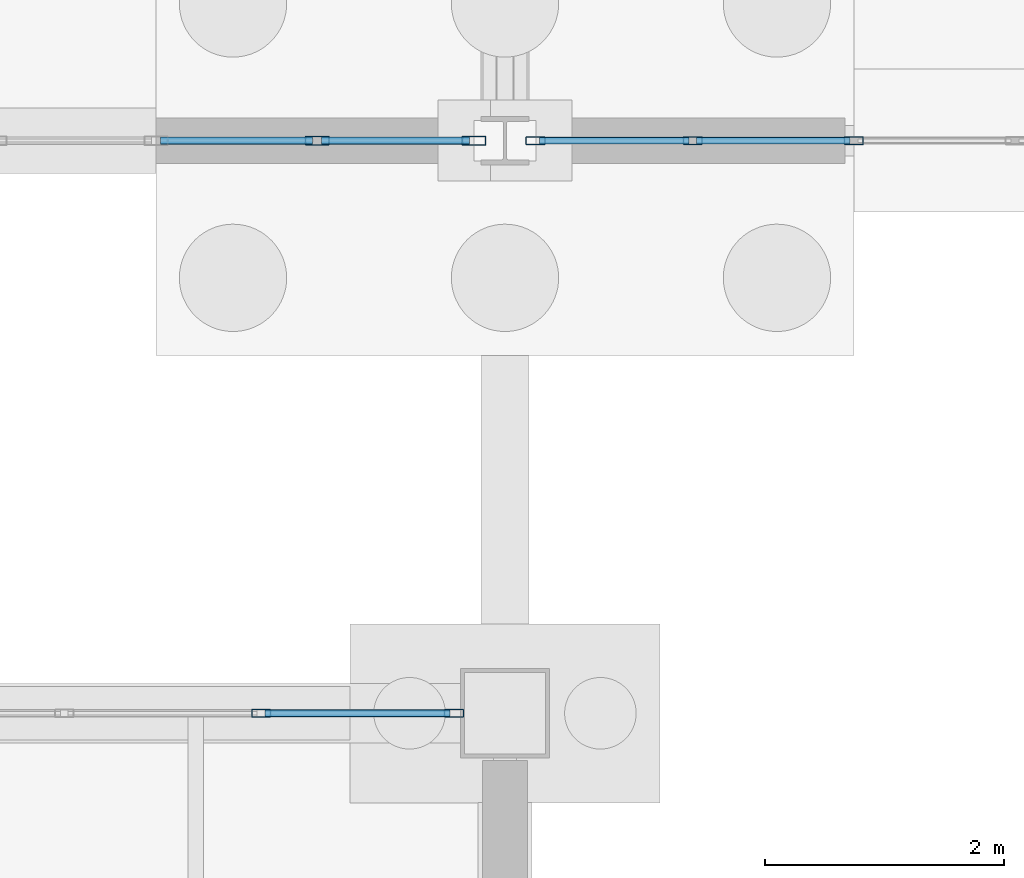
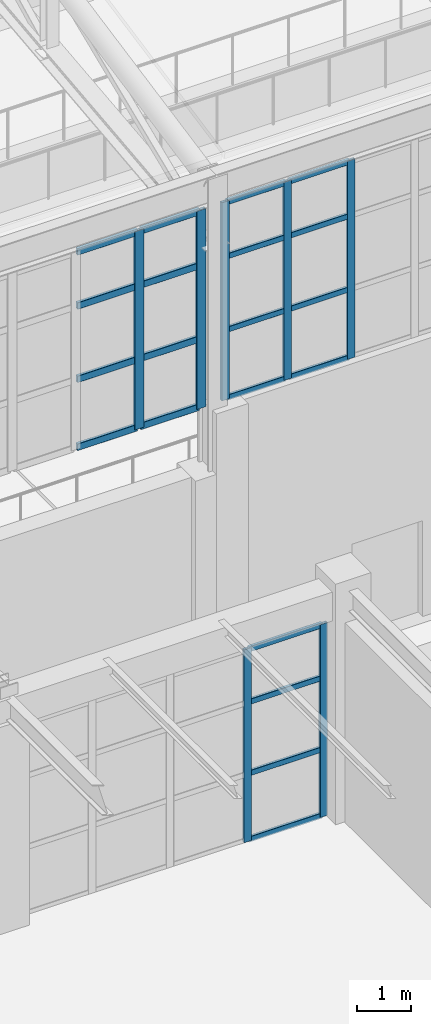
# One storey, part 112 of 293: 27 members, 3 elements without a shape of their own.
"""IFC4 building model written with IfcOpenShell, lengths in metres."""

from ifc_helpers import new_model, si_unit, direction, frame, origin, origin_2d, place, context, subcontext, project, spatial, hollow_rectangle, extrude, material, layer, layer_set, material_profile, profile_set, type_object, element, aggregate, save


model = new_model("IFC4")

# Units and contexts
model_context = context("Model", 3, precision=1e-05, world=origin(), true_north=direction((0.0, 1.0)))
body_context = subcontext(model_context, "Body", "Model", "MODEL_VIEW")
ifc_project = project(units=[si_unit("LENGTHUNIT", "METRE"), si_unit("AREAUNIT", "SQUARE_METRE"), si_unit("VOLUMEUNIT", "CUBIC_METRE"), si_unit("PLANEANGLEUNIT", "RADIAN"), si_unit("MASSUNIT", "GRAM", prefix="KILO")], contexts=[model_context])

# Site, building, storey
site_placement = place(None, origin())
site = spatial("IfcSite", under=ifc_project, at=site_placement, CompositionType="ELEMENT")
building_placement = place(site_placement, origin())
building = spatial("IfcBuilding", under=site, at=building_placement, Name="Kemerveld Promenade Tramway Depot", CompositionType="ELEMENT")
storey_placement = place(building_placement, origin())
storey = spatial("IfcBuildingStorey", under=building, at=storey_placement, Name="L00", CompositionType="ELEMENT", Elevation=0.0)

# Curtain wall, members
ifc_material_1 = material(Name="Bronze anodised aluminium and solar glass", Category="aluminium")
ifc_layer_1 = layer(ifc_material_1, 0.159912109375)
ifc_layer_set_1 = layer_set([ifc_layer_1], Name="CW-SYS-07")
curtain_wall_type_1 = type_object("IfcCurtainWallType", Name="CW-SYS-07", PredefinedType="USERDEFINED", material=ifc_layer_set_1)
curtain_wall_1_placement = place(storey_placement, origin())
curtain_wall_1 = element("IfcCurtainWall", 1, at=curtain_wall_1_placement, inside=storey, type_object=curtain_wall_type_1, Name="CW-V1-S-04", ObjectType="GLAZED_CURTAIN_WALL", PredefinedType="USERDEFINED")
ifc_material_2 = material(Name="Bronze anodised aluminium", Category="aluminium")
ifc_material_profile_1 = material_profile(ifc_material_2, hollow_rectangle(XDim=0.06494140625, YDim=0.159912109375, WallThickness=0.00390625, InnerFilletRadius=0.001953125, OuterFilletRadius=0.00390625, at=origin_2d()), Name="CW-MUL-160x65")
ifc_profile_set_1 = profile_set([ifc_material_profile_1], Name="Bronze anodised aluminium")
member_type_1 = type_object("IfcMemberType", Name="CW-MUL-A", PredefinedType="MULLION", material=ifc_profile_set_1)
member_1_placement = place(storey_placement, frame((60.524658203125, 84.0, 6.199951171875), z_axis=(0.0, 0.0, 1.0), x_axis=(0.0, -1.0, 0.0)))
member_1 = element("IfcMember", 2, at=member_1_placement, type_object=member_type_1, Name="CW07 mullion 4", PredefinedType="MULLION", context=body_context, shape_type="SweptSolid", body=[
    extrude(hollow_rectangle(XDim=0.06494140625, YDim=0.159912109375, WallThickness=0.00390625, InnerFilletRadius=0.001953125, OuterFilletRadius=0.00390625, at=origin_2d()), origin(), (0.0, 0.0, 1.0), 4.449951171875),
])
member_2_placement = place(storey_placement, frame((59.173828125, 84.0, 6.199951171875), z_axis=(0.0, 0.0, 1.0), x_axis=(0.0, -1.0, 0.0)))
member_2 = element("IfcMember", 3, at=member_2_placement, type_object=member_type_1, Name="CW07 mullion 5", PredefinedType="MULLION", context=body_context, shape_type="SweptSolid", body=[
    extrude(hollow_rectangle(XDim=0.06494140625, YDim=0.159912109375, WallThickness=0.00390625, InnerFilletRadius=0.001953125, OuterFilletRadius=0.00390625, at=origin_2d()), origin(), (0.0, 0.0, 1.0), 4.449951171875),
])
member_3_placement = place(storey_placement, frame((57.855712890625, 84.0, 6.199951171875), z_axis=(0.0, 0.0, 1.0), x_axis=(0.0, -1.0, 0.0)))
member_3 = element("IfcMember", 4, at=member_3_placement, type_object=member_type_1, Name="CW07 mullion 6", PredefinedType="MULLION", context=body_context, shape_type="SweptSolid", body=[
    extrude(hollow_rectangle(XDim=0.06494140625, YDim=0.159912109375, WallThickness=0.00390625, InnerFilletRadius=0.001953125, OuterFilletRadius=0.00390625, at=origin_2d()), origin(), (0.0, 0.0, 1.0), 4.449951171875),
])

ifc_layer_2 = layer(ifc_material_1, 0.159912109375)
ifc_layer_set_2 = layer_set([ifc_layer_2], Name="CW-SYS-11")
curtain_wall_type_2 = type_object("IfcCurtainWallType", Name="CW-SYS-11", PredefinedType="USERDEFINED", material=ifc_layer_set_2)
curtain_wall_2_placement = place(storey_placement, origin())
curtain_wall_2 = element("IfcCurtainWall", 5, at=curtain_wall_2_placement, inside=storey, type_object=curtain_wall_type_2, Name="CW-L00-V5N-08", ObjectType="GLAZED_CURTAIN_WALL", PredefinedType="USERDEFINED")
member_4_placement = place(storey_placement, frame((55.555419921875, 79.199951171875, 0.0), z_axis=(0.0, 0.0, 1.0), x_axis=(0.0, 1.0, 0.0)))
member_4 = element("IfcMember", 6, at=member_4_placement, type_object=member_type_1, Name="CW11 mullion 4", PredefinedType="MULLION", context=body_context, shape_type="SweptSolid", body=[
    extrude(hollow_rectangle(XDim=0.06494140625, YDim=0.159912109375, WallThickness=0.00390625, InnerFilletRadius=0.001953125, OuterFilletRadius=0.00390625, at=origin_2d()), origin(), (0.0, 0.0, 1.0), 4.330078125),
])
member_5_placement = place(storey_placement, frame((57.172607421875, 79.199951171875, 0.0), z_axis=(0.0, 0.0, 1.0), x_axis=(0.0, 1.0, 0.0)))
member_5 = element("IfcMember", 7, at=member_5_placement, type_object=member_type_1, Name="CW11 mullion 5", PredefinedType="MULLION", context=body_context, shape_type="SweptSolid", body=[
    extrude(hollow_rectangle(XDim=0.06494140625, YDim=0.159912109375, WallThickness=0.00390625, InnerFilletRadius=0.001953125, OuterFilletRadius=0.00390625, at=origin_2d()), origin(), (0.0, 0.0, 1.0), 4.330078125),
])

ifc_layer_3 = layer(ifc_material_1, 0.199951171875)
ifc_layer_set_3 = layer_set([ifc_layer_3], Name="CW-SYS-06")
curtain_wall_type_3 = type_object("IfcCurtainWallType", Name="CW-SYS-06", PredefinedType="USERDEFINED", material=ifc_layer_set_3)
curtain_wall_3_placement = place(storey_placement, origin())
curtain_wall_3 = element("IfcCurtainWall", 8, at=curtain_wall_3_placement, inside=storey, type_object=curtain_wall_type_3, Name="CW-V1-S-03", ObjectType="GLAZED_CURTAIN_WALL", PredefinedType="USERDEFINED")
ifc_material_profile_2 = material_profile(ifc_material_2, hollow_rectangle(XDim=0.074951171875, YDim=0.199951171875, WallThickness=0.0048828125, InnerFilletRadius=0.001953125, OuterFilletRadius=0.0048828125, at=origin_2d()), Name="CW-MUL-200x75")
ifc_profile_set_2 = profile_set([ifc_material_profile_2], Name="Bronze anodised aluminium")
member_type_2 = type_object("IfcMemberType", Name="CW-MUL-B", PredefinedType="MULLION", material=ifc_profile_set_2)
member_6_placement = place(storey_placement, frame((57.33935546875, 84.0, 6.199951171875), z_axis=(0.0, 0.0, 1.0), x_axis=(0.0, -1.0, 0.0)))
member_6 = element("IfcMember", 9, at=member_6_placement, type_object=member_type_2, Name="CW06 mullion 1", PredefinedType="MULLION", context=body_context, shape_type="SweptSolid", body=[
    extrude(hollow_rectangle(XDim=0.074951171875, YDim=0.199951171875, WallThickness=0.0048828125, InnerFilletRadius=0.001953125, OuterFilletRadius=0.0048828125, at=origin_2d()), origin(), (0.0, 0.0, 1.0), 4.449951171875),
])
member_7_placement = place(storey_placement, frame((56.026123046875, 84.0, 6.199951171875), z_axis=(0.0, 0.0, 1.0), x_axis=(0.0, -1.0, 0.0)))
member_7 = element("IfcMember", 10, at=member_7_placement, type_object=member_type_2, Name="CW06 mullion 2", PredefinedType="MULLION", context=body_context, shape_type="SweptSolid", body=[
    extrude(hollow_rectangle(XDim=0.074951171875, YDim=0.199951171875, WallThickness=0.0048828125, InnerFilletRadius=0.001953125, OuterFilletRadius=0.0048828125, at=origin_2d()), origin(), (0.0, 0.0, 1.0), 4.449951171875),
])

# Member
ifc_material_profile_3 = material_profile(ifc_material_2, hollow_rectangle(XDim=0.06005859375, YDim=0.1201171875, WallThickness=0.00390625, InnerFilletRadius=0.001953125, OuterFilletRadius=0.00390625, at=origin_2d()), Name="CW-TRN-120x60")
ifc_profile_set_3 = profile_set([ifc_material_profile_3], Name="Bronze anodised aluminium")
member_type_3 = type_object("IfcMemberType", Name="CW-TRN-A", PredefinedType="USERDEFINED", material=ifc_profile_set_3)
member_8_placement = place(storey_placement, frame((60.4921875, 84.0, 6.22998046875), z_axis=(-1.0, 0.0, 0.0), x_axis=(0.0, -1.0, 0.0)))
member_8 = element("IfcMember", 11, at=member_8_placement, type_object=member_type_3, Name="CW07 transom 4.1", ObjectType="TRANSOM", PredefinedType="USERDEFINED", context=body_context, shape_type="SweptSolid", body=[
    extrude(hollow_rectangle(XDim=0.06005859375, YDim=0.1201171875, WallThickness=0.00390625, InnerFilletRadius=0.001953125, OuterFilletRadius=0.00390625, at=origin_2d()), origin(), (0.0, 0.0, 1.0), 1.285888671875),
])

member_9_placement = place(storey_placement, frame((60.4921875, 84.0, 7.758056640625), z_axis=(-1.0, 0.0, 0.0), x_axis=(0.0, -1.0, 0.0)))
member_9 = element("IfcMember", 12, at=member_9_placement, type_object=member_type_3, Name="CW07 transom 4.2", ObjectType="TRANSOM", PredefinedType="USERDEFINED", context=body_context, shape_type="SweptSolid", body=[
    extrude(hollow_rectangle(XDim=0.06005859375, YDim=0.1201171875, WallThickness=0.00390625, InnerFilletRadius=0.001953125, OuterFilletRadius=0.00390625, at=origin_2d()), origin(), (0.0, 0.0, 1.0), 1.285888671875),
])

member_10_placement = place(storey_placement, frame((60.4921875, 84.0, 9.404052734375), z_axis=(-1.0, 0.0, 0.0), x_axis=(0.0, -1.0, 0.0)))
member_10 = element("IfcMember", 13, at=member_10_placement, type_object=member_type_3, Name="CW07 transom 4.3", ObjectType="TRANSOM", PredefinedType="USERDEFINED", context=body_context, shape_type="SweptSolid", body=[
    extrude(hollow_rectangle(XDim=0.06005859375, YDim=0.1201171875, WallThickness=0.00390625, InnerFilletRadius=0.001953125, OuterFilletRadius=0.00390625, at=origin_2d()), origin(), (0.0, 0.0, 1.0), 1.285888671875),
])

member_11_placement = place(storey_placement, frame((60.4921875, 84.0, 10.6201171875), z_axis=(-1.0, 0.0, 0.0), x_axis=(0.0, -1.0, 0.0)))
member_11 = element("IfcMember", 14, at=member_11_placement, type_object=member_type_3, Name="CW07 transom 4.4", ObjectType="TRANSOM", PredefinedType="USERDEFINED", context=body_context, shape_type="SweptSolid", body=[
    extrude(hollow_rectangle(XDim=0.06005859375, YDim=0.1201171875, WallThickness=0.00390625, InnerFilletRadius=0.001953125, OuterFilletRadius=0.00390625, at=origin_2d()), origin(), (0.0, 0.0, 1.0), 1.285888671875),
])

member_12_placement = place(storey_placement, frame((59.141357421875, 84.0, 6.22998046875), z_axis=(-1.0, 0.0, 0.0), x_axis=(0.0, -1.0, 0.0)))
member_12 = element("IfcMember", 15, at=member_12_placement, type_object=member_type_3, Name="CW07 transom 5.1", ObjectType="TRANSOM", PredefinedType="USERDEFINED", context=body_context, shape_type="SweptSolid", body=[
    extrude(hollow_rectangle(XDim=0.06005859375, YDim=0.1201171875, WallThickness=0.00390625, InnerFilletRadius=0.001953125, OuterFilletRadius=0.00390625, at=origin_2d()), origin(), (0.0, 0.0, 1.0), 1.253173828125),
])

member_13_placement = place(storey_placement, frame((59.141357421875, 84.0, 7.758056640625), z_axis=(-1.0, 0.0, 0.0), x_axis=(0.0, -1.0, 0.0)))
member_13 = element("IfcMember", 16, at=member_13_placement, type_object=member_type_3, Name="CW07 transom 5.2", ObjectType="TRANSOM", PredefinedType="USERDEFINED", context=body_context, shape_type="SweptSolid", body=[
    extrude(hollow_rectangle(XDim=0.06005859375, YDim=0.1201171875, WallThickness=0.00390625, InnerFilletRadius=0.001953125, OuterFilletRadius=0.00390625, at=origin_2d()), origin(), (0.0, 0.0, 1.0), 1.253173828125),
])

member_14_placement = place(storey_placement, frame((59.141357421875, 84.0, 9.404052734375), z_axis=(-1.0, 0.0, 0.0), x_axis=(0.0, -1.0, 0.0)))
member_14 = element("IfcMember", 17, at=member_14_placement, type_object=member_type_3, Name="CW07 transom 5.3", ObjectType="TRANSOM", PredefinedType="USERDEFINED", context=body_context, shape_type="SweptSolid", body=[
    extrude(hollow_rectangle(XDim=0.06005859375, YDim=0.1201171875, WallThickness=0.00390625, InnerFilletRadius=0.001953125, OuterFilletRadius=0.00390625, at=origin_2d()), origin(), (0.0, 0.0, 1.0), 1.253173828125),
])

member_15_placement = place(storey_placement, frame((59.141357421875, 84.0, 10.6201171875), z_axis=(-1.0, 0.0, 0.0), x_axis=(0.0, -1.0, 0.0)))
member_15 = element("IfcMember", 18, at=member_15_placement, type_object=member_type_3, Name="CW07 transom 5.4", ObjectType="TRANSOM", PredefinedType="USERDEFINED", context=body_context, shape_type="SweptSolid", body=[
    extrude(hollow_rectangle(XDim=0.06005859375, YDim=0.1201171875, WallThickness=0.00390625, InnerFilletRadius=0.001953125, OuterFilletRadius=0.00390625, at=origin_2d()), origin(), (0.0, 0.0, 1.0), 1.253173828125),
])

aggregate(curtain_wall_1, [member_1, member_2, member_3, member_8, member_9, member_10, member_11, member_12, member_13, member_14, member_15])

member_16_placement = place(storey_placement, frame((55.587890625, 79.199951171875, 0.030029296875), z_axis=(1.0, 0.0, 0.0), x_axis=(0.0, 1.0, 0.0)))
member_16 = element("IfcMember", 19, at=member_16_placement, type_object=member_type_3, Name="CW11 transom 4.1", ObjectType="TRANSOM", PredefinedType="USERDEFINED", context=body_context, shape_type="SweptSolid", body=[
    extrude(hollow_rectangle(XDim=0.06005859375, YDim=0.1201171875, WallThickness=0.00390625, InnerFilletRadius=0.001953125, OuterFilletRadius=0.00390625, at=origin_2d()), origin(), (0.0, 0.0, 1.0), 1.552001953125),
])

member_17_placement = place(storey_placement, frame((55.587890625, 79.199951171875, 1.514892578125), z_axis=(1.0, 0.0, 0.0), x_axis=(0.0, 1.0, 0.0)))
member_17 = element("IfcMember", 20, at=member_17_placement, type_object=member_type_3, Name="CW11 transom 4.2", ObjectType="TRANSOM", PredefinedType="USERDEFINED", context=body_context, shape_type="SweptSolid", body=[
    extrude(hollow_rectangle(XDim=0.06005859375, YDim=0.1201171875, WallThickness=0.00390625, InnerFilletRadius=0.001953125, OuterFilletRadius=0.00390625, at=origin_2d()), origin(), (0.0, 0.0, 1.0), 1.552001953125),
])

member_18_placement = place(storey_placement, frame((55.587890625, 79.199951171875, 3.117919921875), z_axis=(1.0, 0.0, 0.0), x_axis=(0.0, 1.0, 0.0)))
member_18 = element("IfcMember", 21, at=member_18_placement, type_object=member_type_3, Name="CW11 transom 4.3", ObjectType="TRANSOM", PredefinedType="USERDEFINED", context=body_context, shape_type="SweptSolid", body=[
    extrude(hollow_rectangle(XDim=0.06005859375, YDim=0.1201171875, WallThickness=0.00390625, InnerFilletRadius=0.001953125, OuterFilletRadius=0.00390625, at=origin_2d()), origin(), (0.0, 0.0, 1.0), 1.552001953125),
])

member_19_placement = place(storey_placement, frame((55.587890625, 79.199951171875, 4.300048828125), z_axis=(1.0, 0.0, 0.0), x_axis=(0.0, 1.0, 0.0)))
member_19 = element("IfcMember", 22, at=member_19_placement, type_object=member_type_3, Name="CW11 transom 4.4", ObjectType="TRANSOM", PredefinedType="USERDEFINED", context=body_context, shape_type="SweptSolid", body=[
    extrude(hollow_rectangle(XDim=0.06005859375, YDim=0.1201171875, WallThickness=0.00390625, InnerFilletRadius=0.001953125, OuterFilletRadius=0.00390625, at=origin_2d()), origin(), (0.0, 0.0, 1.0), 1.552001953125),
])

aggregate(curtain_wall_2, [member_4, member_5, member_16, member_17, member_18, member_19])

ifc_material_profile_4 = material_profile(ifc_material_2, hollow_rectangle(XDim=0.06494140625, YDim=0.14990234375, WallThickness=0.00439453125, InnerFilletRadius=0.001953125, OuterFilletRadius=0.00439453125, at=origin_2d()), Name="CW-TRN-150x65")
ifc_profile_set_4 = profile_set([ifc_material_profile_4], Name="Bronze anodised aluminium")
member_type_4 = type_object("IfcMemberType", Name="CW-TRN-B", PredefinedType="USERDEFINED", material=ifc_profile_set_4)
member_20_placement = place(storey_placement, frame((57.3017578125, 84.0, 6.232421875), z_axis=(-1.0, 0.0, 0.0), x_axis=(0.0, -1.0, 0.0)))
member_20 = element("IfcMember", 23, at=member_20_placement, type_object=member_type_4, Name="CW06 transom 1.1", ObjectType="TRANSOM", PredefinedType="USERDEFINED", context=body_context, shape_type="SweptSolid", body=[
    extrude(hollow_rectangle(XDim=0.06494140625, YDim=0.14990234375, WallThickness=0.00439453125, InnerFilletRadius=0.001953125, OuterFilletRadius=0.00439453125, at=origin_2d()), origin(), (0.0, 0.0, 1.0), 1.23828125),
])

member_21_placement = place(storey_placement, frame((57.3017578125, 84.0, 7.758056640625), z_axis=(-1.0, 0.0, 0.0), x_axis=(0.0, -1.0, 0.0)))
member_21 = element("IfcMember", 24, at=member_21_placement, type_object=member_type_4, Name="CW06 transom 1.2", ObjectType="TRANSOM", PredefinedType="USERDEFINED", context=body_context, shape_type="SweptSolid", body=[
    extrude(hollow_rectangle(XDim=0.06494140625, YDim=0.14990234375, WallThickness=0.00439453125, InnerFilletRadius=0.001953125, OuterFilletRadius=0.00439453125, at=origin_2d()), origin(), (0.0, 0.0, 1.0), 1.23828125),
])

member_22_placement = place(storey_placement, frame((57.3017578125, 84.0, 9.404052734375), z_axis=(-1.0, 0.0, 0.0), x_axis=(0.0, -1.0, 0.0)))
member_22 = element("IfcMember", 25, at=member_22_placement, type_object=member_type_4, Name="CW06 transom 1.3", ObjectType="TRANSOM", PredefinedType="USERDEFINED", context=body_context, shape_type="SweptSolid", body=[
    extrude(hollow_rectangle(XDim=0.06494140625, YDim=0.14990234375, WallThickness=0.00439453125, InnerFilletRadius=0.001953125, OuterFilletRadius=0.00439453125, at=origin_2d()), origin(), (0.0, 0.0, 1.0), 1.23828125),
])

member_23_placement = place(storey_placement, frame((57.3017578125, 84.0, 10.617431640625), z_axis=(-1.0, 0.0, 0.0), x_axis=(0.0, -1.0, 0.0)))
member_23 = element("IfcMember", 26, at=member_23_placement, type_object=member_type_4, Name="CW06 transom 1.4", ObjectType="TRANSOM", PredefinedType="USERDEFINED", context=body_context, shape_type="SweptSolid", body=[
    extrude(hollow_rectangle(XDim=0.06494140625, YDim=0.14990234375, WallThickness=0.00439453125, InnerFilletRadius=0.001953125, OuterFilletRadius=0.00439453125, at=origin_2d()), origin(), (0.0, 0.0, 1.0), 1.23828125),
])

member_24_placement = place(storey_placement, frame((55.988525390625, 84.0, 6.232421875), z_axis=(-1.0, 0.0, 0.0), x_axis=(0.0, -1.0, 0.0)))
member_24 = element("IfcMember", 27, at=member_24_placement, type_object=member_type_4, Name="CW06 transom 2.1", ObjectType="TRANSOM", PredefinedType="USERDEFINED", context=body_context, shape_type="SweptSolid", body=[
    extrude(hollow_rectangle(XDim=0.06494140625, YDim=0.14990234375, WallThickness=0.00439453125, InnerFilletRadius=0.001953125, OuterFilletRadius=0.00439453125, at=origin_2d()), origin(), (0.0, 0.0, 1.0), 1.275634765625),
])

member_25_placement = place(storey_placement, frame((55.988525390625, 84.0, 7.758056640625), z_axis=(-1.0, 0.0, 0.0), x_axis=(0.0, -1.0, 0.0)))
member_25 = element("IfcMember", 28, at=member_25_placement, type_object=member_type_4, Name="CW06 transom 2.2", ObjectType="TRANSOM", PredefinedType="USERDEFINED", context=body_context, shape_type="SweptSolid", body=[
    extrude(hollow_rectangle(XDim=0.06494140625, YDim=0.14990234375, WallThickness=0.00439453125, InnerFilletRadius=0.001953125, OuterFilletRadius=0.00439453125, at=origin_2d()), origin(), (0.0, 0.0, 1.0), 1.275634765625),
])

member_26_placement = place(storey_placement, frame((55.988525390625, 84.0, 9.404052734375), z_axis=(-1.0, 0.0, 0.0), x_axis=(0.0, -1.0, 0.0)))
member_26 = element("IfcMember", 29, at=member_26_placement, type_object=member_type_4, Name="CW06 transom 2.3", ObjectType="TRANSOM", PredefinedType="USERDEFINED", context=body_context, shape_type="SweptSolid", body=[
    extrude(hollow_rectangle(XDim=0.06494140625, YDim=0.14990234375, WallThickness=0.00439453125, InnerFilletRadius=0.001953125, OuterFilletRadius=0.00439453125, at=origin_2d()), origin(), (0.0, 0.0, 1.0), 1.275634765625),
])

member_27_placement = place(storey_placement, frame((55.988525390625, 84.0, 10.617431640625), z_axis=(-1.0, 0.0, 0.0), x_axis=(0.0, -1.0, 0.0)))
member_27 = element("IfcMember", 30, at=member_27_placement, type_object=member_type_4, Name="CW06 transom 2.4", ObjectType="TRANSOM", PredefinedType="USERDEFINED", context=body_context, shape_type="SweptSolid", body=[
    extrude(hollow_rectangle(XDim=0.06494140625, YDim=0.14990234375, WallThickness=0.00439453125, InnerFilletRadius=0.001953125, OuterFilletRadius=0.00439453125, at=origin_2d()), origin(), (0.0, 0.0, 1.0), 1.275634765625),
])

aggregate(curtain_wall_3, [member_6, member_7, member_20, member_21, member_22, member_23, member_24, member_25, member_26, member_27])

save(model, "model.ifc")
